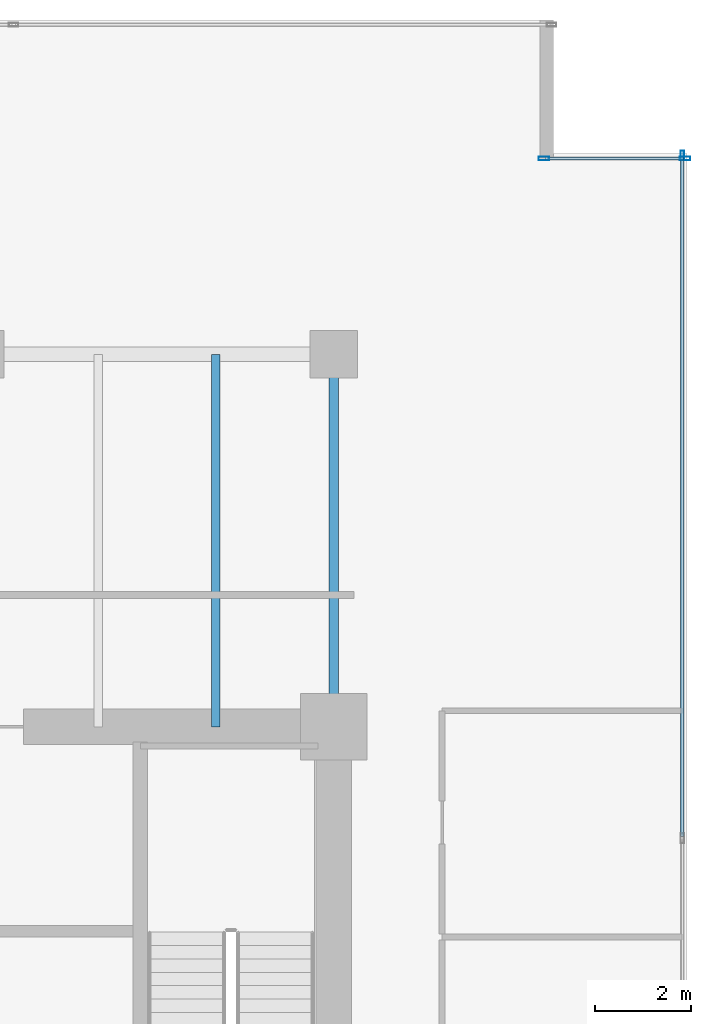
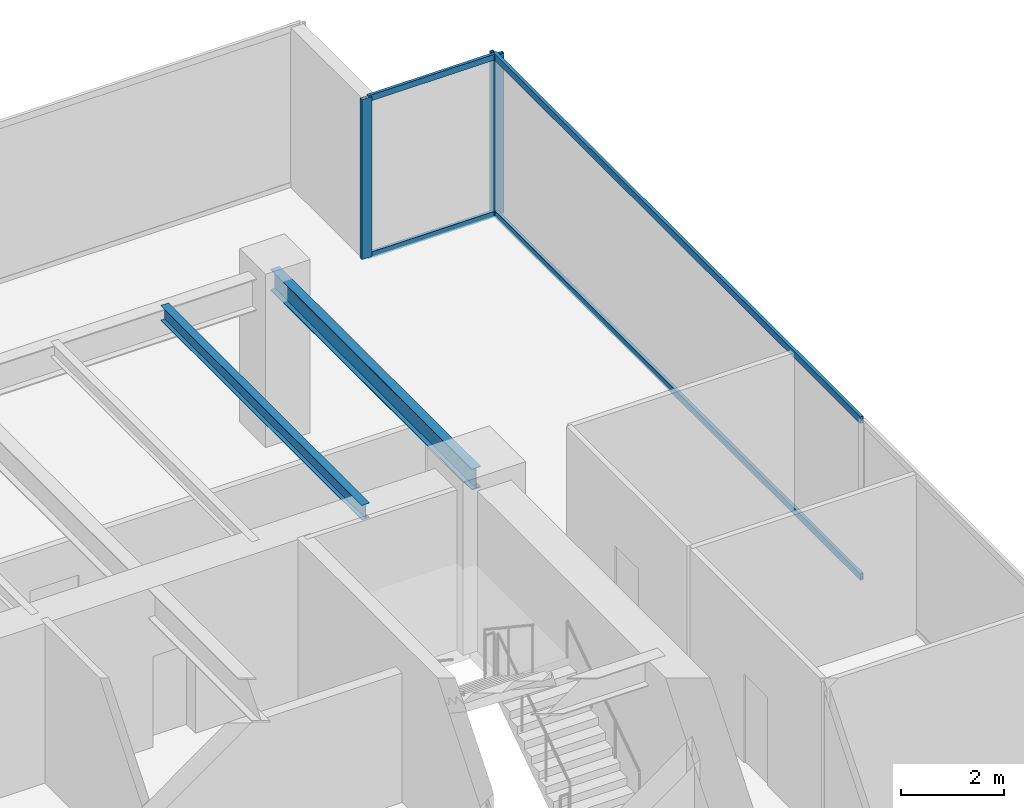
# One storey, part 26 of 35: 7 members, 2 beams, 2 elements without a shape of their own.
"""IFC4 building model written with IfcOpenShell, lengths in metres."""

from ifc_helpers import new_model, si_unit, direction, frame, origin, origin_2d, place, context, subcontext, project, spatial, hollow_rectangle, i_section, extrude, source, transform, mapped, material, layer, layer_set, material_profile, profile_set, type_object, type_shapes, element, aggregate, save


model = new_model("IFC4")

# Units and contexts
model_context = context("Model", 3, precision=1e-05, world=origin(), true_north=direction((0.0, 1.0)))
body_context = subcontext(model_context, "Body", "Model", "MODEL_VIEW")
ifc_project = project(units=[si_unit("LENGTHUNIT", "METRE"), si_unit("AREAUNIT", "SQUARE_METRE"), si_unit("VOLUMEUNIT", "CUBIC_METRE"), si_unit("PLANEANGLEUNIT", "RADIAN"), si_unit("MASSUNIT", "GRAM", prefix="KILO")], contexts=[model_context])

# Site, building, storey
site_placement = place(None, origin())
site = spatial("IfcSite", under=ifc_project, at=site_placement, CompositionType="ELEMENT")
building_placement = place(site_placement, origin())
building = spatial("IfcBuilding", under=site, at=building_placement, Name="Haelvirn Gate Laboratories", CompositionType="ELEMENT")
storey_placement = place(building_placement, frame((0.0, 0.0, 58.0)))
storey = spatial("IfcBuildingStorey", under=building, at=storey_placement, Name="L14", CompositionType="ELEMENT", Elevation=58.0)

# Beams
ifc_material_1 = material(Name="Steel SM355", Category="steel")
ifc_material_profile_1 = material_profile(ifc_material_1, i_section(OverallWidth=0.199951171875, OverallDepth=0.5, WebThickness=0.010009765625, FlangeThickness=0.01611328125, at=origin_2d()), Name="H-500x200x10x16")
ifc_profile_set_1 = profile_set([ifc_material_profile_1], Name="Steel SM355")
beam_type_1 = type_object("IfcBeamType", Name="BM-SP-500", PredefinedType="SPANDREL", material=ifc_profile_set_1)
shared_shape_1 = source(origin(), body_context, "Body", "SweptSolid", [
    extrude(i_section(OverallWidth=0.199951171875, OverallDepth=0.5, WebThickness=0.010009765625, FlangeThickness=0.01611328125, at=origin_2d()), origin(), (0.0, 0.0, 1.0), 7.800048828125),
])
type_shapes(beam_type_1, [shared_shape_1])
beam_1_placement = place(storey_placement, frame((67.39990234375, 33.800048828125, 3.530029296875), z_axis=(0.0, 1.0, 0.0), x_axis=(-1.0, 0.0, 0.0)))
element("IfcBeam", 1, at=beam_1_placement, inside=storey, type_object=beam_type_1, Name="L14 Perimeter Spandrel X67.4 (33.8-41.6)", PredefinedType="SPANDREL", context=body_context, shape_type="MappedRepresentation", body=[
    mapped(shared_shape_1, transform((0.0, 0.0, 0.0), scale=1.0)),
])
ifc_material_profile_2 = material_profile(ifc_material_1, i_section(OverallWidth=0.175048828125, OverallDepth=0.35009765625, WebThickness=0.007080078125, FlangeThickness=0.010986328125, at=origin_2d()), Name="H-350x175x7x11")
ifc_profile_set_2 = profile_set([ifc_material_profile_2], Name="Steel SM355")
beam_type_2 = type_object("IfcBeamType", Name="BM-J-350", PredefinedType="JOIST", material=ifc_profile_set_2)
shared_shape_2 = source(origin(), body_context, "Body", "SweptSolid", [
    extrude(i_section(OverallWidth=0.175048828125, OverallDepth=0.35009765625, WebThickness=0.007080078125, FlangeThickness=0.010986328125, at=origin_2d()), origin(), (0.0, 0.0, 1.0), 7.800048828125),
])
type_shapes(beam_type_2, [shared_shape_2])
beam_2_placement = place(storey_placement, frame((64.929931640625, 33.800048828125, 3.60498046875), z_axis=(0.0, 1.0, 0.0), x_axis=(-1.0, 0.0, 0.0)))
element("IfcBeam", 2, at=beam_2_placement, inside=storey, type_object=beam_type_2, Name="L14 Composite Lab Joist North X64.93", PredefinedType="JOIST", context=body_context, shape_type="MappedRepresentation", body=[
    mapped(shared_shape_2, transform((0.0, 0.0, 0.0), scale=1.0)),
])

# Curtain wall, member
ifc_material_2 = material(Name="Anodised bronze unitised aluminium & triple low-E glass", Category="aluminium")
ifc_layer_1 = layer(ifc_material_2, 0.18408203125, Name="CW-SYS-2")
ifc_layer_set_1 = layer_set([ifc_layer_1], Name="Anodised bronze unitised aluminium & triple low-E glass")
curtain_wall_type_1 = type_object("IfcCurtainWallType", Name="CW-SYS-2", PredefinedType="NOTDEFINED", material=ifc_layer_set_1)
curtain_wall_1_placement = place(storey_placement, origin())
curtain_wall_1 = element("IfcCurtainWall", 3, at=curtain_wall_1_placement, inside=storey, type_object=curtain_wall_type_1, Name="L14 Unitised Curtain Wall CW-L14-P0-E07", PredefinedType="NOTDEFINED")
ifc_material_3 = material(Name="Extruded aluminium 6063-T6 (anodised bronze)", Category="aluminium")
ifc_material_profile_3 = material_profile(ifc_material_3, hollow_rectangle(XDim=0.074951171875, YDim=0.199951171875, WallThickness=0.0048828125, at=origin_2d()), Name="CWM-200x75x5")
ifc_profile_set_3 = profile_set([ifc_material_profile_3], Name="Extruded aluminium 6063-T6 (anodised bronze)")
member_type_1 = type_object("IfcMemberType", Name="CWM-T200", PredefinedType="MULLION", material=ifc_profile_set_3)
shared_shape_3 = source(origin(), body_context, "Body", "SweptSolid", [
    extrude(hollow_rectangle(XDim=0.074951171875, YDim=0.199951171875, WallThickness=0.0048828125, at=origin_2d()), origin(), (0.0, 0.0, 1.0), 3.780029296875),
])
type_shapes(member_type_1, [shared_shape_3])
member_1_placement = place(storey_placement, frame((74.699951171875, 45.762451171875, 0.0), z_axis=(0.0, 0.0, 1.0), x_axis=(-1.0, 0.0, 0.0)))
member_1 = element("IfcMember", 4, at=member_1_placement, type_object=member_type_1, Name="CW2 mullion 4", PredefinedType="MULLION", context=body_context, shape_type="MappedRepresentation", body=[
    mapped(shared_shape_3, transform((0.0, 0.0, 0.0), scale=1.0)),
])

# Curtain wall, members
ifc_layer_2 = layer(ifc_material_2, 0.181884765625, Name="CW-SYS-5")
ifc_layer_set_2 = layer_set([ifc_layer_2], Name="Anodised bronze unitised aluminium & triple low-E glass")
curtain_wall_type_2 = type_object("IfcCurtainWallType", Name="CW-SYS-5", PredefinedType="NOTDEFINED", material=ifc_layer_set_2)
curtain_wall_2_placement = place(storey_placement, origin())
curtain_wall_2 = element("IfcCurtainWall", 5, at=curtain_wall_2_placement, inside=storey, type_object=curtain_wall_type_2, Name="L14 Unitised Curtain Wall CW-L14-P0-E08-1", PredefinedType="NOTDEFINED")
ifc_material_profile_4 = material_profile(ifc_material_3, hollow_rectangle(XDim=0.080078125, YDim=0.219970703125, WallThickness=0.006103515625, at=origin_2d()), Name="CWM-220x80x6")
ifc_profile_set_4 = profile_set([ifc_material_profile_4], Name="Extruded aluminium 6063-T6 (anodised bronze)")
member_type_2 = type_object("IfcMemberType", Name="CWM-T220", PredefinedType="MULLION", material=ifc_profile_set_4)
shared_shape_4 = source(origin(), body_context, "Body", "SweptSolid", [
    extrude(hollow_rectangle(XDim=0.080078125, YDim=0.219970703125, WallThickness=0.006103515625, at=origin_2d()), origin(), (0.0, 0.0, 1.0), 3.780029296875),
])
type_shapes(member_type_2, [shared_shape_4])
member_2_placement = place(storey_placement, frame((71.800048828125, 45.699951171875, 0.0), z_axis=(0.0, 0.0, 1.0), x_axis=(0.0, 1.0, 0.0)))
member_2 = element("IfcMember", 6, at=member_2_placement, type_object=member_type_2, Name="CW5 mullion 1", PredefinedType="MULLION", context=body_context, shape_type="MappedRepresentation", body=[
    mapped(shared_shape_4, transform((0.0, 0.0, 0.0), scale=1.0)),
])
member_3_placement = place(storey_placement, frame((74.760009765625, 45.699951171875, 0.0), z_axis=(0.0, 0.0, 1.0), x_axis=(0.0, 1.0, 0.0)))
member_3 = element("IfcMember", 7, at=member_3_placement, type_object=member_type_2, Name="CW5 mullion 2", PredefinedType="MULLION", context=body_context, shape_type="MappedRepresentation", body=[
    mapped(shared_shape_4, transform((0.0, 0.0, 0.0), scale=1.0)),
])
ifc_material_profile_5 = material_profile(ifc_material_3, hollow_rectangle(XDim=0.06494140625, YDim=0.139892578125, WallThickness=0.00390625, at=origin_2d()), Name="CWT-140x65x4")
ifc_profile_set_5 = profile_set([ifc_material_profile_5], Name="Extruded aluminium 6063-T6 (anodised bronze)")
member_type_3 = type_object("IfcMemberType", Name="CWT-T140", PredefinedType="USERDEFINED", material=ifc_profile_set_5)
shared_shape_5 = source(origin(), body_context, "Body", "SweptSolid", [
    extrude(hollow_rectangle(XDim=0.06494140625, YDim=0.139892578125, WallThickness=0.00390625, at=origin_2d()), origin(), (0.0, 0.0, 1.0), 2.8798828125),
])
type_shapes(member_type_3, [shared_shape_5])
member_4_placement = place(storey_placement, frame((71.840087890625, 45.699951171875, 0.032470703125), z_axis=(1.0, 0.0, 0.0), x_axis=(0.0, 1.0, 0.0)))
member_4 = element("IfcMember", 8, at=member_4_placement, type_object=member_type_3, Name="CW5 transom 1.1", ObjectType="TRANSOM", PredefinedType="USERDEFINED", context=body_context, shape_type="MappedRepresentation", body=[
    mapped(shared_shape_5, transform((0.0, 0.0, 0.0), scale=1.0)),
])
member_5_placement = place(storey_placement, frame((71.840087890625, 45.699951171875, 3.74755859375), z_axis=(1.0, 0.0, 0.0), x_axis=(0.0, 1.0, 0.0)))
member_5 = element("IfcMember", 9, at=member_5_placement, type_object=member_type_3, Name="CW5 transom 1.2", ObjectType="TRANSOM", PredefinedType="USERDEFINED", context=body_context, shape_type="MappedRepresentation", body=[
    mapped(shared_shape_5, transform((0.0, 0.0, 0.0), scale=1.0)),
])
aggregate(curtain_wall_2, [member_2, member_3, member_4, member_5])

# Member
ifc_material_profile_6 = material_profile(ifc_material_3, hollow_rectangle(XDim=0.070068359375, YDim=0.159912109375, WallThickness=0.0048828125, at=origin_2d()), Name="CWT-160x70x5")
ifc_profile_set_6 = profile_set([ifc_material_profile_6], Name="Extruded aluminium 6063-T6 (anodised bronze)")
member_type_4 = type_object("IfcMemberType", Name="CWT-T160", PredefinedType="USERDEFINED", material=ifc_profile_set_6)
shared_shape_6 = source(origin(), body_context, "Body", "SweptSolid", [
    extrude(hollow_rectangle(XDim=0.070068359375, YDim=0.159912109375, WallThickness=0.0048828125, at=origin_2d()), origin(), (0.0, 0.0, 1.0), 14.220947265625),
])
type_shapes(member_type_4, [shared_shape_6])
member_6_placement = place(storey_placement, frame((74.699951171875, 31.504150390625, 0.034912109375), z_axis=(0.0, 1.0, 0.0), x_axis=(-1.0, 0.0, 0.0)))
member_6 = element("IfcMember", 10, at=member_6_placement, type_object=member_type_4, Name="CW2 transom 3.1", ObjectType="TRANSOM", PredefinedType="USERDEFINED", context=body_context, shape_type="MappedRepresentation", body=[
    mapped(shared_shape_6, transform((0.0, 0.0, 0.0), scale=1.0)),
])

member_7_placement = place(storey_placement, frame((74.699951171875, 31.504150390625, 3.7451171875), z_axis=(0.0, 1.0, 0.0), x_axis=(-1.0, 0.0, 0.0)))
member_7 = element("IfcMember", 11, at=member_7_placement, type_object=member_type_4, Name="CW2 transom 3.2", ObjectType="TRANSOM", PredefinedType="USERDEFINED", context=body_context, shape_type="MappedRepresentation", body=[
    mapped(shared_shape_6, transform((0.0, 0.0, 0.0), scale=1.0)),
])

aggregate(curtain_wall_1, [member_1, member_6, member_7])

save(model, "model.ifc")
